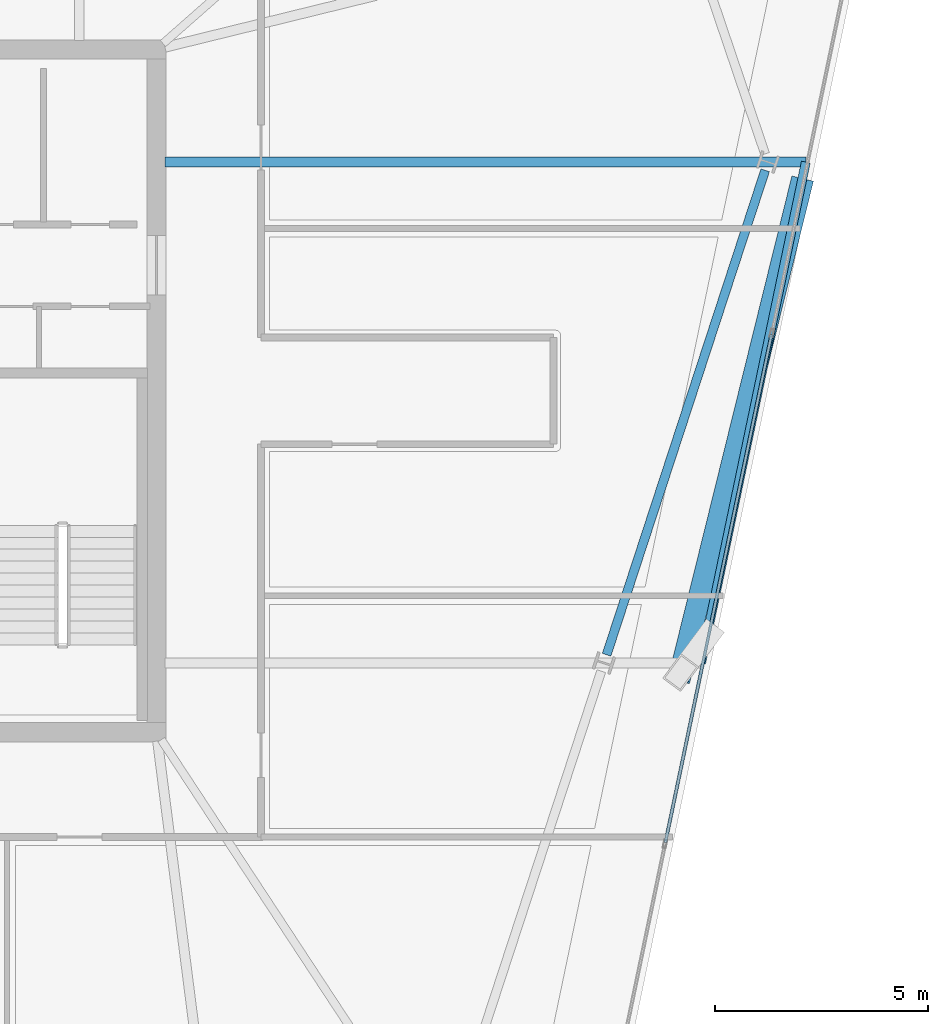
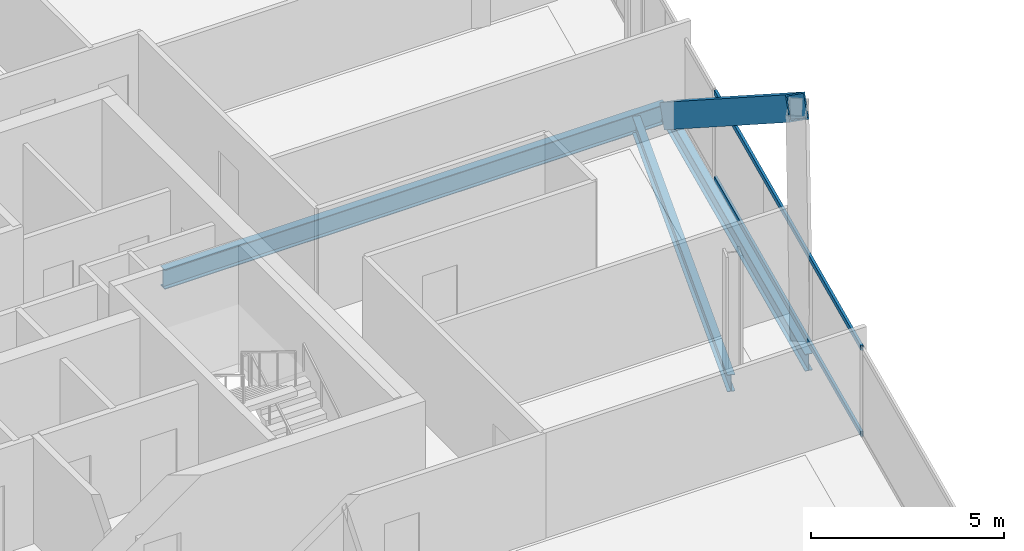
# One storey, part 9 of 24: 3 beams, 3 members, 1 element without a shape of its own.
"""IFC4 building model written with IfcOpenShell, lengths in metres."""

import ifcopenshell
import ifcopenshell.guid

model = None  # the IFC model being written
_history = None  # IfcOwnerHistory: only IFC2X3 demands one
_inside = {}  # id of a spatial element -> (the spatial element, [elements in it])
_under = {}  # id of a project, library or spatial element -> (it, [spatial elements below it])
_declared = {}  # id of a project -> (the project, [libraries it declares])
_typed = {}  # id of a type object -> (the type object, [elements of that type])
_made_of = {}  # id of a material, layer set ... -> (it, [elements and type objects made of it])


def new_model(schema):
    """Start an empty IFC model of exactly this schema.

    Asked for "IFC4X3", IfcOpenShell would pick the latest addendum, in which some entities
    have other attributes; the version numbers below select the first issue.
    IFC2X3 requires an IfcOwnerHistory on every rooted entity: one is made here for all.
    """
    global model, _history
    if schema == "IFC4X3":
        model = ifcopenshell.file(schema_version=(4, 3, 0, 0))
    else:
        model = ifcopenshell.file(schema=schema)
    _inside.clear()
    _under.clear()
    _declared.clear()
    _typed.clear()
    _made_of.clear()
    _history = None
    if model.schema == "IFC2X3":
        org = make("IfcOrganization", Name="unknown")
        user = make(
            "IfcPersonAndOrganization",
            ThePerson=make("IfcPerson", FamilyName="unknown"),
            TheOrganization=org,
        )
        app = make(
            "IfcApplication",
            ApplicationDeveloper=org,
            Version="unknown",
            ApplicationFullName="unknown",
            ApplicationIdentifier="unknown",
        )
        _history = make(
            "IfcOwnerHistory",
            OwningUser=user,
            OwningApplication=app,
            ChangeAction="ADDED",
            CreationDate=0,
        )
    return model


def make(cls, **values):
    """One entity of the class cls with the attributes given. An attribute that is None is left unset."""
    return model.create_entity(
        cls, **{name: value for name, value in values.items() if value is not None}
    )


def rooted(cls, **values):
    """An entity with a GlobalId (a new one), such as an element, a storey or a relation."""
    return make(cls, GlobalId=ifcopenshell.guid.new(), OwnerHistory=_history, **values)


def si_unit(unit_type, name, prefix=None):
    """IfcSIUnit, for example si_unit("LENGTHUNIT", "METRE", prefix="MILLI")."""
    return make("IfcSIUnit", UnitType=unit_type, Prefix=prefix, Name=name)


def assignment(units):
    """IfcUnitAssignment: the units of a project."""
    return None if units is None else make("IfcUnitAssignment", Units=units)


def point(xyz):
    """IfcCartesianPoint."""
    return None if xyz is None else make("IfcCartesianPoint", Coordinates=xyz)


def direction(xyz):
    """IfcDirection."""
    return None if xyz is None else make("IfcDirection", DirectionRatios=xyz)


def frame(location, z_axis=None, x_axis=None):
    """IfcAxis2Placement3D, a coordinate frame: its origin and axes. An axis left out is left unset."""
    return make(
        "IfcAxis2Placement3D",
        Location=point(location),
        Axis=direction(z_axis),
        RefDirection=direction(x_axis),
    )


def frame_2d(location, x_axis=None):
    """IfcAxis2Placement2D, a coordinate frame in the plane: its origin and x axis."""
    return make(
        "IfcAxis2Placement2D", Location=point(location), RefDirection=direction(x_axis)
    )


def origin():
    """The frame at (0, 0, 0) with its axes left unset."""
    return frame((0.0, 0.0, 0.0))


def origin_2d():
    """The frame at (0, 0) in the plane with its x axis left unset."""
    return frame_2d((0.0, 0.0))


def place(relative_to, where):
    """IfcLocalPlacement: puts the frame where relative to a parent placement (None: the world)."""
    return make(
        "IfcLocalPlacement", PlacementRelTo=relative_to, RelativePlacement=where
    )


def context(
    kind, dimensions, precision=None, world=None, true_north=None, identifier=None
):
    """IfcGeometricRepresentationContext, for example the 3D "Model" context."""
    return make(
        "IfcGeometricRepresentationContext",
        ContextIdentifier=identifier,
        ContextType=kind,
        CoordinateSpaceDimension=dimensions,
        Precision=precision,
        WorldCoordinateSystem=world,
        TrueNorth=true_north,
    )


def subcontext(parent, identifier, kind, view, scale=None):
    """IfcGeometricRepresentationSubContext, for example "Body" below "Model"."""
    return make(
        "IfcGeometricRepresentationSubContext",
        ContextIdentifier=identifier,
        ContextType=kind,
        ParentContext=parent,
        TargetScale=scale,
        TargetView=view,
    )


def project(units=None, contexts=None):
    """IfcProject with its units and contexts."""
    return rooted(
        "IfcProject",
        Name="project",
        RepresentationContexts=contexts,
        UnitsInContext=assignment(units),
    )


def spatial(cls, under=None, at=None, **own):
    """A site, building, storey or space (cls), placed at a placement, below another one or the project."""
    s = rooted(cls, ObjectPlacement=at, **own)
    if under is not None:
        _under.setdefault(under.id(), (under, []))[1].append(s)
    return s


def profile(cls, at=None, kind="AREA", **sizes):
    """A parametric profile (cls). Its sizes go by their IFC names, for example OverallWidth=200.0."""
    return make(cls, ProfileType=kind, Position=at, **sizes)


def hollow_rectangle(**sizes):
    """IfcRectangleHollowProfileDef."""
    return profile("IfcRectangleHollowProfileDef", **sizes)


def i_section(**sizes):
    """IfcIShapeProfileDef."""
    return profile("IfcIShapeProfileDef", **sizes)


def extrude(swept, where, along, depth):
    """IfcExtrudedAreaSolid: the profile swept, set in the frame where, extruded along a direction by depth."""
    return make(
        "IfcExtrudedAreaSolid",
        SweptArea=swept,
        Position=where,
        ExtrudedDirection=direction(along),
        Depth=depth,
    )


def shape(context_of_items, identifier, shape_type, items):
    """IfcShapeRepresentation: the items that make up one representation, for example the "Body"."""
    return make(
        "IfcShapeRepresentation",
        ContextOfItems=context_of_items,
        RepresentationIdentifier=identifier,
        RepresentationType=shape_type,
        Items=items,
    )


def material(Name=None, Category=None):
    """IfcMaterial."""
    return make("IfcMaterial", Name=Name, Category=Category)


def material_profile(
    of_material, cross_section, Name=None, Category=None, Priority=None
):
    """IfcMaterialProfile: a cross section and its material."""
    return make(
        "IfcMaterialProfile",
        Name=Name,
        Material=of_material,
        Profile=cross_section,
        Priority=Priority,
        Category=Category,
    )


def profile_set(profiles, Name=None, composite=None):
    """IfcMaterialProfileSet."""
    return make(
        "IfcMaterialProfileSet",
        Name=Name,
        MaterialProfiles=profiles,
        CompositeProfile=composite,
    )


def made_of(thing, what):
    """Note that an element or type object is made of a material, layer set ...; save() writes the relation."""
    if what is not None:
        _made_of.setdefault(what.id(), (what, []))[1].append(thing)
    return thing


def type_object(cls, material=None, **own):
    """A type object (cls), such as IfcWallType, which elements share."""
    return made_of(rooted(cls, **own), material)


def element(
    cls,
    number,
    at=None,
    inside=None,
    cuts=None,
    type_object=None,
    material=None,
    context=None,
    identifier="Body",
    shape_type=None,
    held_by="IfcProductDefinitionShape",
    body=None,
    shapes=None,
    **own,
):
    """One element of the class cls, such as IfcWall. Its Tag is "e" and its number.

    at: its placement. inside: the storey or other place that contains it. cuts: it is an
    opening in that element (IfcRelVoidsElement). A single representation is given by context,
    identifier, shape_type and body (its items); several are given by shapes. held_by: the class
    of the entity that holds the representations. save() writes the other relations.
    """
    e = rooted(cls, Tag="e%d" % number, ObjectPlacement=at, **own)
    if body is not None:
        shapes = [shape(context, identifier, shape_type, body)]
    if shapes is not None:
        e.Representation = make(held_by, Representations=shapes)
    if inside is not None:
        _inside.setdefault(inside.id(), (inside, []))[1].append(e)
    if cuts is not None:
        rooted(
            "IfcRelVoidsElement", RelatingBuildingElement=cuts, RelatedOpeningElement=e
        )
    if type_object is not None:
        _typed.setdefault(type_object.id(), (type_object, []))[1].append(e)
    return made_of(e, material)


def aggregate(whole, parts):
    """IfcRelAggregates: a whole, such as a stair, and the parts it consists of."""
    return rooted("IfcRelAggregates", RelatingObject=whole, RelatedObjects=parts)


def save(model, path):
    """Write the relations noted so far, then the file.

    IfcRelAggregates (storeys below a building ...), IfcRelContainedInSpatialStructure (elements
    in a storey), IfcRelDefinesByType, IfcRelAssociatesMaterial and IfcRelDeclares: one each for
    every whole, place, type object, material and project.
    """
    for whole, parts in _under.values():
        aggregate(whole, parts)
    for where, things in _inside.values():
        rooted(
            "IfcRelContainedInSpatialStructure",
            RelatedElements=things,
            RelatingStructure=where,
        )
    for kind, things in _typed.values():
        rooted("IfcRelDefinesByType", RelatedObjects=things, RelatingType=kind)
    for what, things in _made_of.values():
        rooted("IfcRelAssociatesMaterial", RelatedObjects=things, RelatingMaterial=what)
    for by, libraries in _declared.values():
        rooted("IfcRelDeclares", RelatingContext=by, RelatedDefinitions=libraries)
    model.write(path)


model = new_model("IFC4")

# Units and contexts
model_context = context("Model", 3, precision=1e-05, world=origin(), true_north=direction((0.0, 1.0)))
body_context = subcontext(model_context, "Body", "Model", "MODEL_VIEW")
ifc_project = project(units=[si_unit("LENGTHUNIT", "METRE"), si_unit("AREAUNIT", "SQUARE_METRE"), si_unit("VOLUMEUNIT", "CUBIC_METRE"), si_unit("PLANEANGLEUNIT", "RADIAN"), si_unit("MASSUNIT", "GRAM", prefix="KILO")], contexts=[model_context])

# Site, building, storey
site_placement = place(None, origin())
site = spatial("IfcSite", under=ifc_project, at=site_placement, CompositionType="ELEMENT")
building_placement = place(site_placement, origin())
building = spatial("IfcBuilding", under=site, at=building_placement, Name="Haldenkirk Collegiate Tower", CompositionType="ELEMENT")
storey_placement = place(building_placement, frame((0.0, 0.0, 289.949951171875)))
storey = spatial("IfcBuildingStorey", under=building, at=storey_placement, Name="L73", CompositionType="ELEMENT", Elevation=289.949951171875)

# Beams
ifc_material_1 = material(Name="Steel ASTM A992 Grade 50", Category="steel")
ifc_material_profile_1 = material_profile(ifc_material_1, i_section(OverallWidth=0.22998046875, OverallDepth=0.616943359375, WebThickness=0.01318359375, FlangeThickness=0.022216796875, at=origin_2d()), Name="W24X94")
ifc_profile_set_1 = profile_set([ifc_material_profile_1], Name="Steel ASTM A992 Grade 50")
beam_type_1 = type_object("IfcBeamType", Name="BM-GIRDER-W24X94", PredefinedType="BEAM", material=ifc_profile_set_1)
beam_1_placement = place(storey_placement, frame((60.212890625, 31.360107421875, -0.578369140625), z_axis=(-1.0, 0.0, 0.0), x_axis=(0.0, -1.0, 0.0)))
element("IfcBeam", 1, at=beam_1_placement, inside=storey, type_object=beam_type_1, Name="L73 primary floor girder 07", PredefinedType="BEAM", context=body_context, shape_type="SweptSolid", body=[
    extrude(i_section(OverallWidth=0.22998046875, OverallDepth=0.616943359375, WebThickness=0.01318359375, FlangeThickness=0.022216796875, at=origin_2d()), origin(), (0.0, 0.0, 1.0), 15.0078125),
])
ifc_material_profile_2 = material_profile(ifc_material_1, i_section(OverallWidth=0.2099609375, OverallDepth=0.537109375, WebThickness=0.010986328125, FlangeThickness=0.017333984375, at=origin_2d()), Name="W21X68")
ifc_profile_set_2 = profile_set([ifc_material_profile_2], Name="Steel ASTM A992 Grade 50")
beam_type_2 = type_object("IfcBeamType", Name="BM-SPANDREL-W21X68", PredefinedType="SPANDREL", material=ifc_profile_set_2)
beam_2_placement = place(storey_placement, frame((55.54638671875, 19.81689453125, -0.538330078125), z_axis=(0.311010188249, 0.950406577631, 0.0), x_axis=(-0.950406577631, 0.311010188249, 0.0)))
element("IfcBeam", 2, at=beam_2_placement, inside=storey, type_object=beam_type_2, Name="L73 perimeter spandrel beam 03", PredefinedType="SPANDREL", context=body_context, shape_type="SweptSolid", body=[
    extrude(i_section(OverallWidth=0.2099609375, OverallDepth=0.537109375, WebThickness=0.010986328125, FlangeThickness=0.017333984375, at=origin_2d()), origin(), (0.0, 0.0, 1.0), 11.94287109375),
])
beam_3_placement = place(storey_placement, frame((57.760986328125, 19.624267578125, -0.538330078125), z_axis=(0.204508808405, 0.97886472369, 0.0), x_axis=(-0.97886472369, 0.204508808405, 0.0)))
element("IfcBeam", 3, at=beam_3_placement, inside=storey, type_object=beam_type_2, Name="L73 outer facade edge beam 1", PredefinedType="SPANDREL", context=body_context, shape_type="SweptSolid", body=[
    extrude(i_section(OverallWidth=0.2099609375, OverallDepth=0.537109375, WebThickness=0.010986328125, FlangeThickness=0.017333984375, at=origin_2d()), origin(), (0.0, 0.0, 1.0), 11.9892578125),
])

# Curtain wall, members
ifc_material_2 = material(Name="Anodised architectural bronze aluminium", Category="aluminium")
curtain_wall_type = type_object("IfcCurtainWallType", Name="CW-SYS2-CONCAVE", PredefinedType="USERDEFINED", material=ifc_material_2)
curtain_wall_placement = place(storey_placement, origin())
curtain_wall = element("IfcCurtainWall", 4, at=curtain_wall_placement, inside=storey, type_object=curtain_wall_type, Name="L73 South concave recessed bronze-anodised curtain wall", ObjectType="UNITISED CURTAIN WALL", PredefinedType="USERDEFINED")
ifc_material_profile_3 = material_profile(ifc_material_2, hollow_rectangle(XDim=0.074951171875, YDim=0.159912109375, WallThickness=0.0048828125, at=origin_2d()), Name="CW-TRN-02")
ifc_profile_set_3 = profile_set([ifc_material_profile_3], Name="Anodised architectural bronze aluminium")
member_type_1 = type_object("IfcMemberType", Name="CW-TRN-02", PredefinedType="USERDEFINED", material=ifc_profile_set_3)
member_1_placement = place(storey_placement, frame((59.40966796875, 27.31982421875, 0.03759765625), z_axis=(-0.204496286767, -0.978867339683, 0.0), x_axis=(0.978867339683, -0.204496286767, 0.0)))
member_1 = element("IfcMember", 5, at=member_1_placement, type_object=member_type_1, Name="CW-02 transom 2.1", ObjectType="TRANSOM", PredefinedType="USERDEFINED", context=body_context, shape_type="SweptSolid", body=[
    extrude(hollow_rectangle(XDim=0.074951171875, YDim=0.159912109375, WallThickness=0.0048828125, at=origin_2d()), origin(), (0.0, 0.0, 1.0), 12.158203125),
])
member_2_placement = place(storey_placement, frame((59.40966796875, 27.31982421875, 2.760498046875), z_axis=(-0.204496286767, -0.978867339683, 0.0), x_axis=(0.978867339683, -0.204496286767, 0.0)))
member_2 = element("IfcMember", 6, at=member_2_placement, type_object=member_type_1, Name="CW-02 transom 2.2", ObjectType="TRANSOM", PredefinedType="USERDEFINED", context=body_context, shape_type="SweptSolid", body=[
    extrude(hollow_rectangle(XDim=0.074951171875, YDim=0.159912109375, WallThickness=0.0048828125, at=origin_2d()), origin(), (0.0, 0.0, 1.0), 12.158203125),
])
aggregate(curtain_wall, [member_1, member_2])

# Member
ifc_material_3 = material(Name="Steel ASTM A572 Grade 50", Category="steel")
ifc_material_profile_4 = material_profile(ifc_material_3, hollow_rectangle(XDim=0.52001953125, YDim=0.719970703125, WallThickness=0.035888671875, at=origin_2d()), Name="BOX720X520X36")
ifc_profile_set_4 = profile_set([ifc_material_profile_4], Name="Steel ASTM A572 Grade 50")
member_type_2 = type_object("IfcMemberType", Name="MBR-MEGABRACE-BOX720X520X36", PredefinedType="BRACE", material=ifc_profile_set_4)
member_3_placement = place(storey_placement, frame((60.090087890625, 30.772705078125, -0.280029296875), z_axis=(-0.196970260746, -0.797884576533, 0.5697217908), x_axis=(0.970854281577, -0.239670532071, 0.0)))
element("IfcMember", 7, at=member_3_placement, inside=storey, type_object=member_type_2, Name="Perimeter Mega Brace Z5 L73-L74 SR", PredefinedType="BRACE", context=body_context, shape_type="SweptSolid", body=[
    extrude(hollow_rectangle(XDim=0.52001953125, YDim=0.719970703125, WallThickness=0.035888671875, at=origin_2d()), origin(), (0.0, 0.0, 1.0), 14.252685546875),
])

save(model, "model.ifc")
